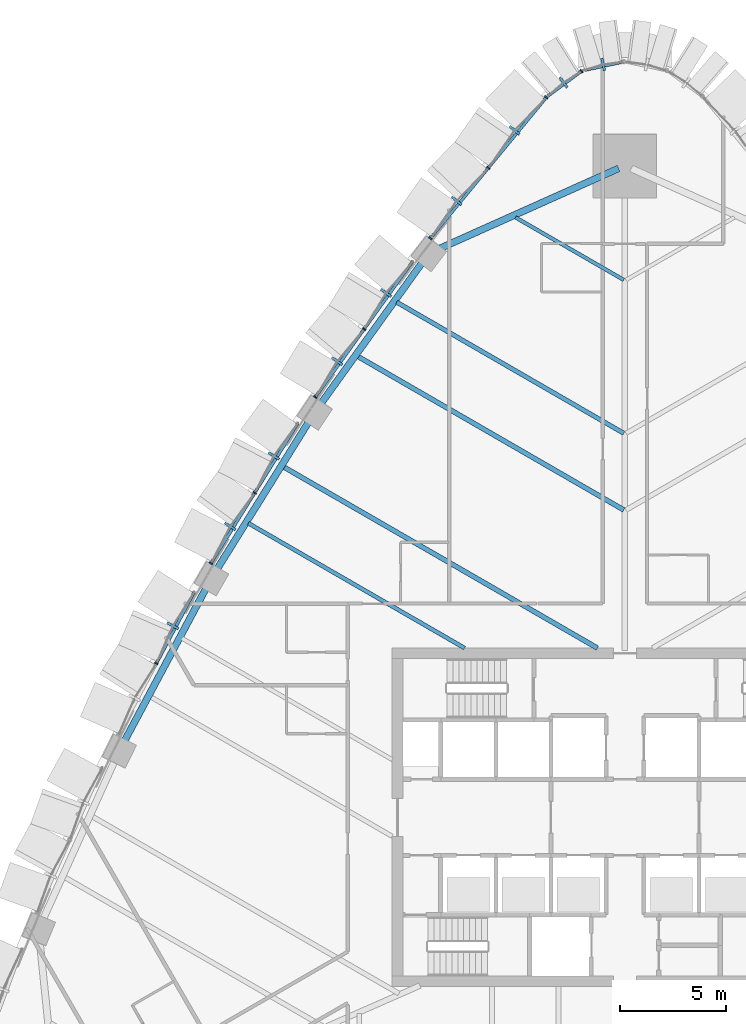
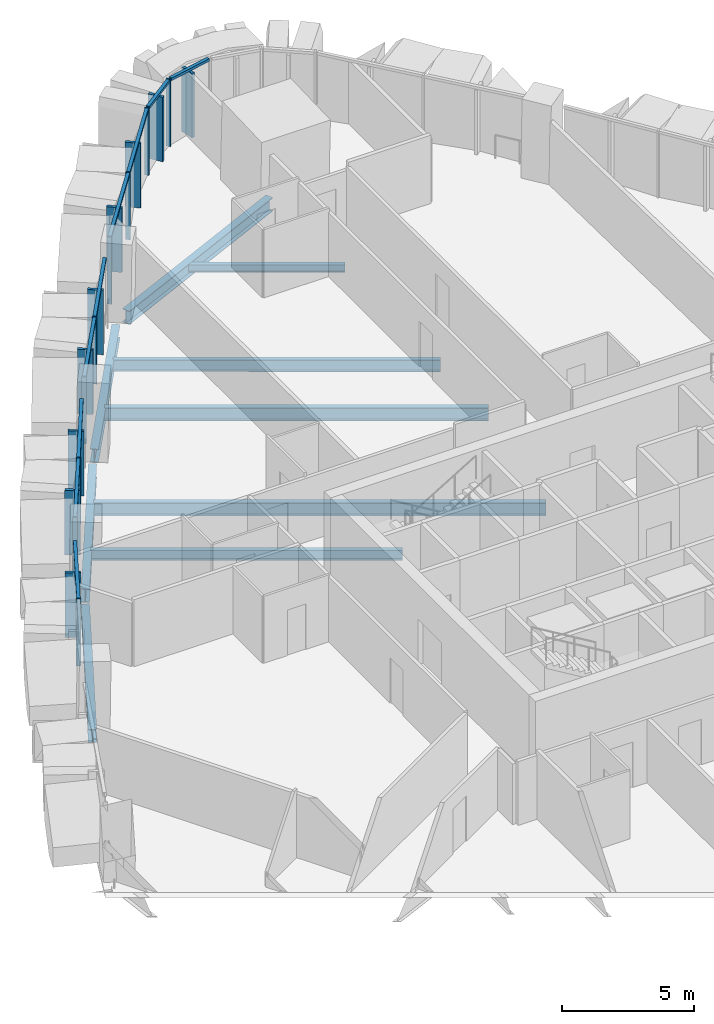
# One storey, part 6 of 22: 27 members, 9 beams, 6 elements without a shape of their own.
"""IFC4 building model written with IfcOpenShell, lengths in metres."""

from ifc_helpers import new_model, si_unit, direction, frame, origin, origin_2d, place, context, subcontext, project, spatial, rectangle, i_section, extrude, material, layer, layer_set, material_profile, profile_set, type_object, element, aggregate, save


model = new_model("IFC4")

# Units and contexts
model_context = context("Model", 3, precision=1e-05, world=origin(), true_north=direction((0.0, 1.0)))
body_context = subcontext(model_context, "Body", "Model", "MODEL_VIEW")
ifc_project = project(units=[si_unit("LENGTHUNIT", "METRE"), si_unit("AREAUNIT", "SQUARE_METRE"), si_unit("VOLUMEUNIT", "CUBIC_METRE"), si_unit("PLANEANGLEUNIT", "RADIAN"), si_unit("MASSUNIT", "GRAM", prefix="KILO")], contexts=[model_context])

# Site, building, storey
site_placement = place(None, origin())
site = spatial("IfcSite", under=ifc_project, at=site_placement, CompositionType="ELEMENT")
building_placement = place(site_placement, origin())
building = spatial("IfcBuilding", under=site, at=building_placement, Name="Sierra Prisma Convention Tower", CompositionType="ELEMENT")
storey_placement = place(building_placement, frame((0.0, 0.0, 66.5)))
storey = spatial("IfcBuildingStorey", under=building, at=storey_placement, Name="L12", CompositionType="ELEMENT", Elevation=66.5)

# Curtain wall, member
ifc_material_1 = material(Name="Aluminium and glass curtain wall", Category="aluminium")
ifc_layer = layer(ifc_material_1, 0.179931640625)
ifc_layer_set = layer_set([ifc_layer], Name="CW-2 Faceted crystal curtain wall")
curtain_wall_type = type_object("IfcCurtainWallType", Name="CW-2 Faceted crystal curtain wall", PredefinedType="NOTDEFINED", material=ifc_layer_set)
curtain_wall_1_placement = place(storey_placement, origin())
curtain_wall_1 = element("IfcCurtainWall", 1, at=curtain_wall_1_placement, inside=storey, type_object=curtain_wall_type, Name="CW-2 N3 L12", PredefinedType="NOTDEFINED")
ifc_material_2 = material(Name="Aluminium 6063-T6 bronze anodised", Category="aluminium")
ifc_material_profile_1 = material_profile(ifc_material_2, rectangle(XDim=0.1201171875, YDim=0.60009765625, at=origin_2d()), Name="ALU RIDGE BLADE 120x600")
ifc_profile_set_1 = profile_set([ifc_material_profile_1], Name="Aluminium 6063-T6 bronze anodised")
member_type_1 = type_object("IfcMemberType", Name="CW hip bronze", PredefinedType="MULLION", material=ifc_profile_set_1)
member_1_placement = place(storey_placement, frame((-1.029541015625, 35.580078125, 0.0), z_axis=(0.0, 0.0, 1.0), x_axis=(-0.977562389271, -0.210646089646, 0.0)))
member_1 = element("IfcMember", 2, at=member_1_placement, type_object=member_type_1, Name="CW-2 ridge N3.1", PredefinedType="MULLION", context=body_context, shape_type="SweptSolid", body=[
    extrude(rectangle(XDim=0.1201171875, YDim=0.60009765625, at=origin_2d()), origin(), (0.0, 0.0, 1.0), 2.97998046875),
])

curtain_wall_2_placement = place(storey_placement, origin())
curtain_wall_2 = element("IfcCurtainWall", 3, at=curtain_wall_2_placement, inside=storey, type_object=curtain_wall_type, Name="CW-2 N4 L12", PredefinedType="NOTDEFINED")
member_2_placement = place(storey_placement, frame((-2.905517578125, 34.732177734375, 0.0), z_axis=(0.0, 0.0, 1.0), x_axis=(-0.804057675414, -0.594551305277, 0.0)))
member_2 = element("IfcMember", 4, at=member_2_placement, type_object=member_type_1, Name="CW-2 ridge N4.1", PredefinedType="MULLION", context=body_context, shape_type="SweptSolid", body=[
    extrude(rectangle(XDim=0.1201171875, YDim=0.60009765625, at=origin_2d()), origin(), (0.0, 0.0, 1.0), 2.97998046875),
])

# Curtain wall, members
curtain_wall_3_placement = place(storey_placement, origin())
curtain_wall_3 = element("IfcCurtainWall", 5, at=curtain_wall_3_placement, inside=storey, type_object=curtain_wall_type, Name="CW-2 NW1 L12", PredefinedType="NOTDEFINED")
member_3_placement = place(storey_placement, frame((-5.21484375, 32.46875, 0.0), z_axis=(0.0, 0.0, 1.0), x_axis=(-0.635364760097, -0.77221216102, 0.0)))
member_3 = element("IfcMember", 6, at=member_3_placement, type_object=member_type_1, Name="CW-2 ridge NW1.1", PredefinedType="MULLION", context=body_context, shape_type="SweptSolid", body=[
    extrude(rectangle(XDim=0.1201171875, YDim=0.60009765625, at=origin_2d()), origin(), (0.0, 0.0, 1.0), 2.97998046875),
])
member_4_placement = place(storey_placement, frame((-7.954345703125, 29.13916015625, 0.0), z_axis=(0.0, 0.0, 1.0), x_axis=(-0.635364760097, -0.77221216102, 0.0)))
member_4 = element("IfcMember", 7, at=member_4_placement, type_object=member_type_1, Name="CW-2 ridge NW1.2", PredefinedType="MULLION", context=body_context, shape_type="SweptSolid", body=[
    extrude(rectangle(XDim=0.1201171875, YDim=0.60009765625, at=origin_2d()), origin(), (0.0, 0.0, 1.0), 2.97998046875),
])

curtain_wall_4_placement = place(storey_placement, origin())
curtain_wall_4 = element("IfcCurtainWall", 8, at=curtain_wall_4_placement, inside=storey, type_object=curtain_wall_type, Name="CW-2 NW2 L12", PredefinedType="NOTDEFINED")
member_5_placement = place(storey_placement, frame((-11.29443359375, 24.782958984375, 0.0), z_axis=(0.0, 0.0, 1.0), x_axis=(-0.582447468357, -0.812868345185, 0.0)))
member_5 = element("IfcMember", 9, at=member_5_placement, type_object=member_type_1, Name="CW-2 ridge NW2.1", PredefinedType="MULLION", context=body_context, shape_type="SweptSolid", body=[
    extrude(rectangle(XDim=0.1201171875, YDim=0.60009765625, at=origin_2d()), origin(), (0.0, 0.0, 1.0), 2.97998046875),
])
member_6_placement = place(storey_placement, frame((-13.60400390625, 21.5595703125, 0.0), z_axis=(0.0, 0.0, 1.0), x_axis=(-0.582447468357, -0.812868345185, 0.0)))
member_6 = element("IfcMember", 10, at=member_6_placement, type_object=member_type_1, Name="CW-2 ridge NW2.2", PredefinedType="MULLION", context=body_context, shape_type="SweptSolid", body=[
    extrude(rectangle(XDim=0.1201171875, YDim=0.60009765625, at=origin_2d()), origin(), (0.0, 0.0, 1.0), 2.97998046875),
])

curtain_wall_5_placement = place(storey_placement, origin())
curtain_wall_5 = element("IfcCurtainWall", 11, at=curtain_wall_5_placement, inside=storey, type_object=curtain_wall_type, Name="CW-2 NW3 L12", PredefinedType="NOTDEFINED")
member_7_placement = place(storey_placement, frame((-16.596435546875, 17.08251953125, 0.0), z_axis=(0.0, 0.0, 1.0), x_axis=(-0.526936441893, -0.849904692425, 0.0)))
member_7 = element("IfcMember", 12, at=member_7_placement, type_object=member_type_1, Name="CW-2 ridge NW3.1", PredefinedType="MULLION", context=body_context, shape_type="SweptSolid", body=[
    extrude(rectangle(XDim=0.1201171875, YDim=0.60009765625, at=origin_2d()), origin(), (0.0, 0.0, 1.0), 2.97998046875),
])
member_8_placement = place(storey_placement, frame((-18.66162109375, 13.751708984375, 0.0), z_axis=(0.0, 0.0, 1.0), x_axis=(-0.526936441893, -0.849904692425, 0.0)))
member_8 = element("IfcMember", 13, at=member_8_placement, type_object=member_type_1, Name="CW-2 ridge NW3.2", PredefinedType="MULLION", context=body_context, shape_type="SweptSolid", body=[
    extrude(rectangle(XDim=0.1201171875, YDim=0.60009765625, at=origin_2d()), origin(), (0.0, 0.0, 1.0), 2.97998046875),
])

# Curtain wall, member
curtain_wall_6_placement = place(storey_placement, origin())
curtain_wall_6 = element("IfcCurtainWall", 14, at=curtain_wall_6_placement, inside=storey, type_object=curtain_wall_type, Name="CW-2 NW4 L12", PredefinedType="NOTDEFINED")
member_9_placement = place(storey_placement, frame((-21.3701171875, 9.05322265625, 0.0), z_axis=(0.0, 0.0, 1.0), x_axis=(-0.469078880468, -0.88315627377, 0.0)))
member_9 = element("IfcMember", 15, at=member_9_placement, type_object=member_type_1, Name="CW-2 ridge NW4.1", PredefinedType="MULLION", context=body_context, shape_type="SweptSolid", body=[
    extrude(rectangle(XDim=0.1201171875, YDim=0.60009765625, at=origin_2d()), origin(), (0.0, 0.0, 1.0), 2.97998046875),
])

# Member
ifc_material_3 = material(Name="Aluminium 6063-T6 bronze anodised", Category="aluminium")
ifc_material_profile_2 = material_profile(ifc_material_3, rectangle(XDim=0.179931640625, YDim=0.070068359375, at=origin_2d()), Name="ALU MULLION 70x180")
ifc_profile_set_2 = profile_set([ifc_material_profile_2], Name="Aluminium 6063-T6 bronze anodised")
member_type_2 = type_object("IfcMemberType", Name="CW mullion bronze", PredefinedType="MULLION", material=ifc_profile_set_2)
member_10_placement = place(storey_placement, frame((-2.054931640625, 35.266357421875, 0.0), z_axis=(0.0, 0.0, 1.0), x_axis=(0.594551305277, -0.804057675414, 0.0)))
member_10 = element("IfcMember", 16, at=member_10_placement, type_object=member_type_2, Name="CW-1 mullion N4.1", PredefinedType="MULLION", context=body_context, shape_type="SweptSolid", body=[
    extrude(rectangle(XDim=0.179931640625, YDim=0.070068359375, at=origin_2d()), origin(), (0.0, 0.0, 1.0), 3.10009765625),
])

member_11_placement = place(storey_placement, frame((-3.716064453125, 34.027587890625, 0.0), z_axis=(0.0, 0.0, 1.0), x_axis=(0.77221216102, -0.635364760097, 0.0)))
member_11 = element("IfcMember", 17, at=member_11_placement, type_object=member_type_2, Name="CW-1 mullion NW1.1", PredefinedType="MULLION", context=body_context, shape_type="SweptSolid", body=[
    extrude(rectangle(XDim=0.179931640625, YDim=0.070068359375, at=origin_2d()), origin(), (0.0, 0.0, 1.0), 3.10009765625),
])

member_12_placement = place(storey_placement, frame((-6.455810546875, 30.697998046875, 0.0), z_axis=(0.0, 0.0, 1.0), x_axis=(0.77221216102, -0.635364760097, 0.0)))
member_12 = element("IfcMember", 18, at=member_12_placement, type_object=member_type_2, Name="CW-1 mullion NW1.2", PredefinedType="MULLION", context=body_context, shape_type="SweptSolid", body=[
    extrude(rectangle(XDim=0.179931640625, YDim=0.070068359375, at=origin_2d()), origin(), (0.0, 0.0, 1.0), 3.10009765625),
])

member_13_placement = place(storey_placement, frame((-9.1953125, 27.368408203125, 0.0), z_axis=(0.0, 0.0, 1.0), x_axis=(0.77221216102, -0.635364760097, 0.0)))
member_13 = element("IfcMember", 19, at=member_13_placement, type_object=member_type_2, Name="CW-1 mullion NW1.3", PredefinedType="MULLION", context=body_context, shape_type="SweptSolid", body=[
    extrude(rectangle(XDim=0.179931640625, YDim=0.070068359375, at=origin_2d()), origin(), (0.0, 0.0, 1.0), 3.10009765625),
])

member_14_placement = place(storey_placement, frame((-12.32470703125, 23.08203125, 0.0), z_axis=(0.0, 0.0, 1.0), x_axis=(0.812868345185, -0.582447468357, 0.0)))
member_14 = element("IfcMember", 20, at=member_14_placement, type_object=member_type_2, Name="CW-1 mullion NW2.2", PredefinedType="MULLION", context=body_context, shape_type="SweptSolid", body=[
    extrude(rectangle(XDim=0.179931640625, YDim=0.070068359375, at=origin_2d()), origin(), (0.0, 0.0, 1.0), 3.10009765625),
])

member_15_placement = place(storey_placement, frame((-14.63427734375, 19.858642578125, 0.0), z_axis=(0.0, 0.0, 1.0), x_axis=(0.812868345185, -0.582447468357, 0.0)))
member_15 = element("IfcMember", 21, at=member_15_placement, type_object=member_type_2, Name="CW-1 mullion NW2.3", PredefinedType="MULLION", context=body_context, shape_type="SweptSolid", body=[
    extrude(rectangle(XDim=0.179931640625, YDim=0.070068359375, at=origin_2d()), origin(), (0.0, 0.0, 1.0), 3.10009765625),
])

member_16_placement = place(storey_placement, frame((-17.50048828125, 15.337158203125, 0.0), z_axis=(0.0, 0.0, 1.0), x_axis=(0.849904692425, -0.526936441893, 0.0)))
member_16 = element("IfcMember", 22, at=member_16_placement, type_object=member_type_2, Name="CW-1 mullion NW3.2", PredefinedType="MULLION", context=body_context, shape_type="SweptSolid", body=[
    extrude(rectangle(XDim=0.179931640625, YDim=0.070068359375, at=origin_2d()), origin(), (0.0, 0.0, 1.0), 3.10009765625),
])

member_17_placement = place(storey_placement, frame((-19.5654296875, 12.00634765625, 0.0), z_axis=(0.0, 0.0, 1.0), x_axis=(0.849904692425, -0.526936441893, 0.0)))
member_17 = element("IfcMember", 23, at=member_17_placement, type_object=member_type_2, Name="CW-1 mullion NW3.3", PredefinedType="MULLION", context=body_context, shape_type="SweptSolid", body=[
    extrude(rectangle(XDim=0.179931640625, YDim=0.070068359375, at=origin_2d()), origin(), (0.0, 0.0, 1.0), 3.10009765625),
])

member_18_placement = place(storey_placement, frame((-22.14306640625, 7.280517578125, 0.0), z_axis=(0.0, 0.0, 1.0), x_axis=(0.88315627377, -0.469078880468, 0.0)))
member_18 = element("IfcMember", 24, at=member_18_placement, type_object=member_type_2, Name="CW-1 mullion NW4.2", PredefinedType="MULLION", context=body_context, shape_type="SweptSolid", body=[
    extrude(rectangle(XDim=0.179931640625, YDim=0.070068359375, at=origin_2d()), origin(), (0.0, 0.0, 1.0), 3.10009765625),
])

ifc_material_4 = material(Name="Aluminium 6063-T6 bronze anodised", Category="aluminium")
ifc_material_profile_3 = material_profile(ifc_material_4, rectangle(XDim=0.139892578125, YDim=0.1201171875, at=origin_2d()), Name="ALU TRANSOM 120x140")
ifc_profile_set_3 = profile_set([ifc_material_profile_3], Name="Aluminium 6063-T6 bronze anodised")
member_type_3 = type_object("IfcMemberType", Name="CW transom bronze", PredefinedType="USERDEFINED", material=ifc_profile_set_3)
member_19_placement = place(storey_placement, frame((-0.068359375, 35.709228515625, 3.0400390625), z_axis=(-0.977568984031, -0.21061548248, 0.0), x_axis=(0.21061548248, -0.977568984031, 0.0)))
member_19 = element("IfcMember", 25, at=member_19_placement, type_object=member_type_3, Name="CW-1 transom N3.1", ObjectType="TRANSOM", PredefinedType="USERDEFINED", context=body_context, shape_type="SweptSolid", body=[
    extrude(rectangle(XDim=0.139892578125, YDim=0.1201171875, at=origin_2d()), origin(), (0.0, 0.0, 1.0), 1.93359375),
])

aggregate(curtain_wall_1, [member_19, member_1])

member_20_placement = place(storey_placement, frame((-2.0830078125, 35.24560546875, 3.0400390625), z_axis=(-0.804102656516, -0.594490469044, 0.0), x_axis=(0.594490469044, -0.804102656516, 0.0)))
member_20 = element("IfcMember", 26, at=member_20_placement, type_object=member_type_3, Name="CW-1 transom N4.1", ObjectType="TRANSOM", PredefinedType="USERDEFINED", context=body_context, shape_type="SweptSolid", body=[
    extrude(rectangle(XDim=0.139892578125, YDim=0.1201171875, at=origin_2d()), origin(), (0.0, 0.0, 1.0), 1.933349609375),
])

aggregate(curtain_wall_2, [member_10, member_20, member_2])

member_21_placement = place(storey_placement, frame((-3.738525390625, 34.00048828125, 3.0400390625), z_axis=(-0.63535414032, -0.772220898693, 0.0), x_axis=(0.772220898693, -0.63535414032, 0.0)))
member_21 = element("IfcMember", 27, at=member_21_placement, type_object=member_type_3, Name="CW-1 transom NW1.1", ObjectType="TRANSOM", PredefinedType="USERDEFINED", context=body_context, shape_type="SweptSolid", body=[
    extrude(rectangle(XDim=0.139892578125, YDim=0.1201171875, at=origin_2d()), origin(), (0.0, 0.0, 1.0), 4.241943359375),
])

member_22_placement = place(storey_placement, frame((-6.47802734375, 30.6708984375, 3.0400390625), z_axis=(-0.63535414032, -0.772220898693, 0.0), x_axis=(0.772220898693, -0.63535414032, 0.0)))
member_22 = element("IfcMember", 28, at=member_22_placement, type_object=member_type_3, Name="CW-1 transom NW1.2", ObjectType="TRANSOM", PredefinedType="USERDEFINED", context=body_context, shape_type="SweptSolid", body=[
    extrude(rectangle(XDim=0.139892578125, YDim=0.1201171875, at=origin_2d()), origin(), (0.0, 0.0, 1.0), 4.241943359375),
])

aggregate(curtain_wall_3, [member_11, member_12, member_13, member_21, member_3, member_22, member_4])

member_23_placement = place(storey_placement, frame((-10.035400390625, 26.27685546875, 3.0400390625), z_axis=(-0.582429222889, -0.812881418366, 0.0), x_axis=(0.812881418366, -0.582429222889, 0.0)))
member_23 = element("IfcMember", 29, at=member_23_placement, type_object=member_type_3, Name="CW-1 transom NW2.1", ObjectType="TRANSOM", PredefinedType="USERDEFINED", context=body_context, shape_type="SweptSolid", body=[
    extrude(rectangle(XDim=0.139892578125, YDim=0.1201171875, at=origin_2d()), origin(), (0.0, 0.0, 1.0), 3.8955078125),
])

member_24_placement = place(storey_placement, frame((-12.344970703125, 23.053466796875, 3.0400390625), z_axis=(-0.582470634091, -0.81285174566, 0.0), x_axis=(0.81285174566, -0.582470634091, 0.0)))
member_24 = element("IfcMember", 30, at=member_24_placement, type_object=member_type_3, Name="CW-1 transom NW2.2", ObjectType="TRANSOM", PredefinedType="USERDEFINED", context=body_context, shape_type="SweptSolid", body=[
    extrude(rectangle(XDim=0.139892578125, YDim=0.1201171875, at=origin_2d()), origin(), (0.0, 0.0, 1.0), 3.8955078125),
])

aggregate(curtain_wall_4, [member_14, member_15, member_23, member_5, member_24, member_6])

member_25_placement = place(storey_placement, frame((-15.45361328125, 18.638427734375, 3.0400390625), z_axis=(-0.526939668862, -0.849902691712, 0.0), x_axis=(0.849902691712, -0.526939668862, 0.0)))
member_25 = element("IfcMember", 31, at=member_25_placement, type_object=member_type_3, Name="CW-1 transom NW3.1", ObjectType="TRANSOM", PredefinedType="USERDEFINED", context=body_context, shape_type="SweptSolid", body=[
    extrude(rectangle(XDim=0.139892578125, YDim=0.1201171875, at=origin_2d()), origin(), (0.0, 0.0, 1.0), 3.849365234375),
])

member_26_placement = place(storey_placement, frame((-17.518798828125, 15.307373046875, 3.0400390625), z_axis=(-0.52696807508, -0.8498850792, 0.0), x_axis=(0.8498850792, -0.52696807508, 0.0)))
member_26 = element("IfcMember", 32, at=member_26_placement, type_object=member_type_3, Name="CW-1 transom NW3.2", ObjectType="TRANSOM", PredefinedType="USERDEFINED", context=body_context, shape_type="SweptSolid", body=[
    extrude(rectangle(XDim=0.139892578125, YDim=0.1201171875, at=origin_2d()), origin(), (0.0, 0.0, 1.0), 3.84912109375),
])

aggregate(curtain_wall_5, [member_16, member_17, member_25, member_7, member_26, member_8])

member_27_placement = place(storey_placement, frame((-20.3505859375, 10.655517578125, 3.0400390625), z_axis=(-0.469051513659, -0.88317080881, 0.0), x_axis=(0.88317080881, -0.469051513659, 0.0)))
member_27 = element("IfcMember", 33, at=member_27_placement, type_object=member_type_3, Name="CW-1 transom NW4.1", ObjectType="TRANSOM", PredefinedType="USERDEFINED", context=body_context, shape_type="SweptSolid", body=[
    extrude(rectangle(XDim=0.139892578125, YDim=0.1201171875, at=origin_2d()), origin(), (0.0, 0.0, 1.0), 3.78662109375),
])

aggregate(curtain_wall_6, [member_18, member_27, member_9])

# Beams
ifc_material_5 = material(Name="Steel ASTM A992 Gr 50", Category="steel")
ifc_material_profile_4 = material_profile(ifc_material_5, i_section(OverallWidth=0.172119140625, OverallDepth=0.35791015625, WebThickness=0.0078125, FlangeThickness=0.01318359375, at=origin_2d()), Name="W360x57")
ifc_profile_set_4 = profile_set([ifc_material_profile_4], Name="Steel ASTM A992 Gr 50")
beam_type_1 = type_object("IfcBeamType", Name="Floor joist W360x57", PredefinedType="JOIST", material=ifc_profile_set_4)
beam_1_placement = place(storey_placement, frame((-5.172119140625, 28.35302734375, -0.3291015625), z_axis=(0.866023265602, -0.500003703423, 0.0), x_axis=(0.500003703423, 0.866023265602, 0.0)))
element("IfcBeam", 34, at=beam_1_placement, inside=storey, type_object=beam_type_1, Name="Floor joist L12 NW02", PredefinedType="JOIST", context=body_context, shape_type="SweptSolid", body=[
    extrude(i_section(OverallWidth=0.172119140625, OverallDepth=0.35791015625, WebThickness=0.0078125, FlangeThickness=0.01318359375, at=origin_2d()), origin(), (0.0, 0.0, 1.0), 5.9111328125),
])
ifc_material_6 = material(Name="Steel ASTM A992 Gr 50", Category="steel")
ifc_material_profile_5 = material_profile(ifc_material_6, i_section(OverallWidth=0.18994140625, OverallDepth=0.45703125, WebThickness=0.009033203125, FlangeThickness=0.014404296875, at=origin_2d()), Name="W460x74")
ifc_profile_set_5 = profile_set([ifc_material_profile_5], Name="Steel ASTM A992 Gr 50")
beam_type_2 = type_object("IfcBeamType", Name="Floor joist W460x74", PredefinedType="JOIST", material=ifc_profile_set_5)
beam_2_placement = place(storey_placement, frame((-17.794677734375, 13.8974609375, -0.37841796875), z_axis=(0.866028408645, -0.499994795393, 0.0), x_axis=(0.499994795393, 0.866028408645, 0.0)))
element("IfcBeam", 35, at=beam_2_placement, inside=storey, type_object=beam_type_2, Name="Floor joist L12 NW08", PredefinedType="JOIST", context=body_context, shape_type="SweptSolid", body=[
    extrude(i_section(OverallWidth=0.18994140625, OverallDepth=0.45703125, WebThickness=0.009033203125, FlangeThickness=0.014404296875, at=origin_2d()), origin(), (0.0, 0.0, 1.0), 11.795166015625),
])
ifc_material_7 = material(Name="Steel ASTM A992 Gr 50", Category="steel")
ifc_material_profile_6 = material_profile(ifc_material_7, i_section(OverallWidth=0.208984375, OverallDepth=0.532958984375, WebThickness=0.01025390625, FlangeThickness=0.015625, at=origin_2d()), Name="W530x92")
ifc_profile_set_6 = profile_set([ifc_material_profile_6], Name="Steel ASTM A992 Gr 50")
beam_type_3 = type_object("IfcBeamType", Name="Floor joist W530x92", PredefinedType="JOIST", material=ifc_profile_set_6)
beam_3_placement = place(storey_placement, frame((-10.787109375, 24.34716796875, -0.41650390625), z_axis=(0.866019939033, -0.500009465107, 0.0), x_axis=(0.500009465107, 0.866019939033, 0.0)))
element("IfcBeam", 36, at=beam_3_placement, inside=storey, type_object=beam_type_3, Name="Floor joist L12 NW04", PredefinedType="JOIST", context=body_context, shape_type="SweptSolid", body=[
    extrude(i_section(OverallWidth=0.208984375, OverallDepth=0.532958984375, WebThickness=0.01025390625, FlangeThickness=0.015625, at=origin_2d()), origin(), (0.0, 0.0, 1.0), 12.394775390625),
])
ifc_material_8 = material(Name="Steel ASTM A992 Gr 50", Category="steel")
ifc_material_profile_7 = material_profile(ifc_material_8, i_section(OverallWidth=0.22802734375, OverallDepth=0.60302734375, WebThickness=0.010498046875, FlangeThickness=0.014892578125, at=origin_2d()), Name="W610x101")
ifc_profile_set_7 = profile_set([ifc_material_profile_7], Name="Steel ASTM A992 Gr 50")
beam_type_4 = type_object("IfcBeamType", Name="Floor joist W610x101", PredefinedType="JOIST", material=ifc_profile_set_7)
beam_4_placement = place(storey_placement, frame((-12.626708984375, 21.785400390625, -0.451416015625), z_axis=(0.866023172537, -0.500003864615, 0.0), x_axis=(0.500003864615, 0.866023172537, 0.0)))
element("IfcBeam", 37, at=beam_4_placement, inside=storey, type_object=beam_type_4, Name="Floor joist L12 NW05", PredefinedType="JOIST", context=body_context, shape_type="SweptSolid", body=[
    extrude(i_section(OverallWidth=0.22802734375, OverallDepth=0.60302734375, WebThickness=0.010498046875, FlangeThickness=0.014892578125, at=origin_2d()), origin(), (0.0, 0.0, 1.0), 14.51904296875),
])
beam_5_placement = place(storey_placement, frame((-16.1357421875, 16.5634765625, -0.451416015625), z_axis=(0.866031055181, -0.499990211366, 0.0), x_axis=(0.499990211366, 0.866031055181, 0.0)))
element("IfcBeam", 38, at=beam_5_placement, inside=storey, type_object=beam_type_4, Name="Floor joist L12 NW07", PredefinedType="JOIST", context=body_context, shape_type="SweptSolid", body=[
    extrude(i_section(OverallWidth=0.22802734375, OverallDepth=0.60302734375, WebThickness=0.010498046875, FlangeThickness=0.014892578125, at=origin_2d()), origin(), (0.0, 0.0, 1.0), 17.127197265625),
])
ifc_material_9 = material(Name="Steel ASTM A992 Gr 50", Category="steel")
ifc_material_profile_8 = material_profile(ifc_material_9, i_section(OverallWidth=0.324951171875, OverallDepth=0.615966796875, WebThickness=0.013916015625, FlangeThickness=0.021484375, at=origin_2d()), Name="W610x174")
ifc_profile_set_8 = profile_set([ifc_material_profile_8], Name="Steel ASTM A992 Gr 50")
beam_type_5 = type_object("IfcBeamType", Name="Spandrel beam W610x174", PredefinedType="BEAM", material=ifc_profile_set_8)
beam_6_placement = place(storey_placement, frame((-0.300048828125, 30.668212890625, -0.4580078125), z_axis=(-0.912684868676, -0.408664080254, 0.0), x_axis=(0.408664080254, -0.912684868676, 0.0)))
element("IfcBeam", 39, at=beam_6_placement, inside=storey, type_object=beam_type_5, Name="Spandrel L12-13", PredefinedType="BEAM", context=body_context, shape_type="SweptSolid", body=[
    extrude(i_section(OverallWidth=0.324951171875, OverallDepth=0.615966796875, WebThickness=0.013916015625, FlangeThickness=0.021484375, at=origin_2d()), origin(), (0.0, 0.0, 1.0), 9.268310546875),
])
beam_7_placement = place(storey_placement, frame((-9.5517578125, 26.260986328125, -0.4580078125), z_axis=(-0.583259619099, -0.812285797444, 0.0), x_axis=(0.812285797444, -0.583259619099, 0.0)))
element("IfcBeam", 40, at=beam_7_placement, inside=storey, type_object=beam_type_5, Name="Spandrel L12-14", PredefinedType="BEAM", context=body_context, shape_type="SweptSolid", body=[
    extrude(i_section(OverallWidth=0.324951171875, OverallDepth=0.615966796875, WebThickness=0.013916015625, FlangeThickness=0.021484375, at=origin_2d()), origin(), (0.0, 0.0, 1.0), 8.287109375),
])
beam_8_placement = place(storey_placement, frame((-14.919189453125, 18.731689453125, -0.4580078125), z_axis=(-0.528326900752, -0.849041039021, 0.0), x_axis=(0.849041039021, -0.528326900752, 0.0)))
element("IfcBeam", 41, at=beam_8_placement, inside=storey, type_object=beam_type_5, Name="Spandrel L12-15", PredefinedType="BEAM", context=body_context, shape_type="SweptSolid", body=[
    extrude(i_section(OverallWidth=0.324951171875, OverallDepth=0.615966796875, WebThickness=0.013916015625, FlangeThickness=0.021484375, at=origin_2d()), origin(), (0.0, 0.0, 1.0), 8.286865234375),
])
beam_9_placement = place(storey_placement, frame((-19.77734375, 10.8642578125, -0.4580078125), z_axis=(-0.471103459605, -0.882077961605, 0.0), x_axis=(0.882077961605, -0.471103459605, 0.0)))
element("IfcBeam", 42, at=beam_9_placement, inside=storey, type_object=beam_type_5, Name="Spandrel L12-16", PredefinedType="BEAM", context=body_context, shape_type="SweptSolid", body=[
    extrude(i_section(OverallWidth=0.324951171875, OverallDepth=0.615966796875, WebThickness=0.013916015625, FlangeThickness=0.021484375, at=origin_2d()), origin(), (0.0, 0.0, 1.0), 8.287109375),
])

save(model, "model.ifc")
